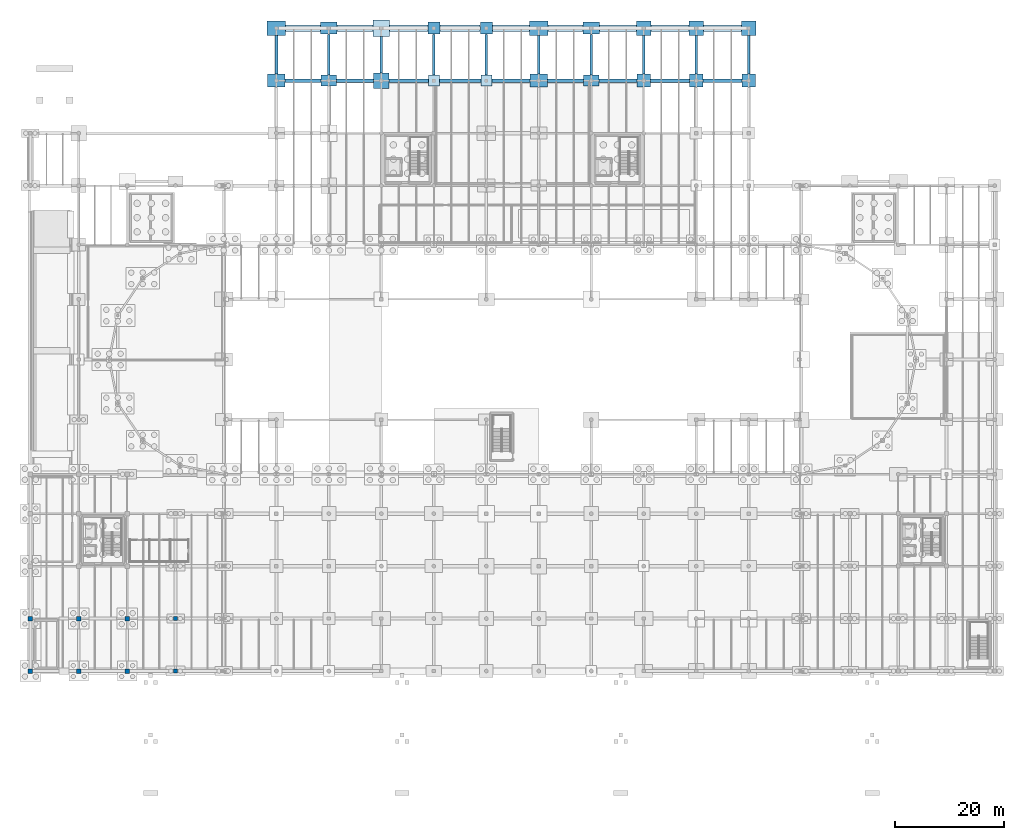
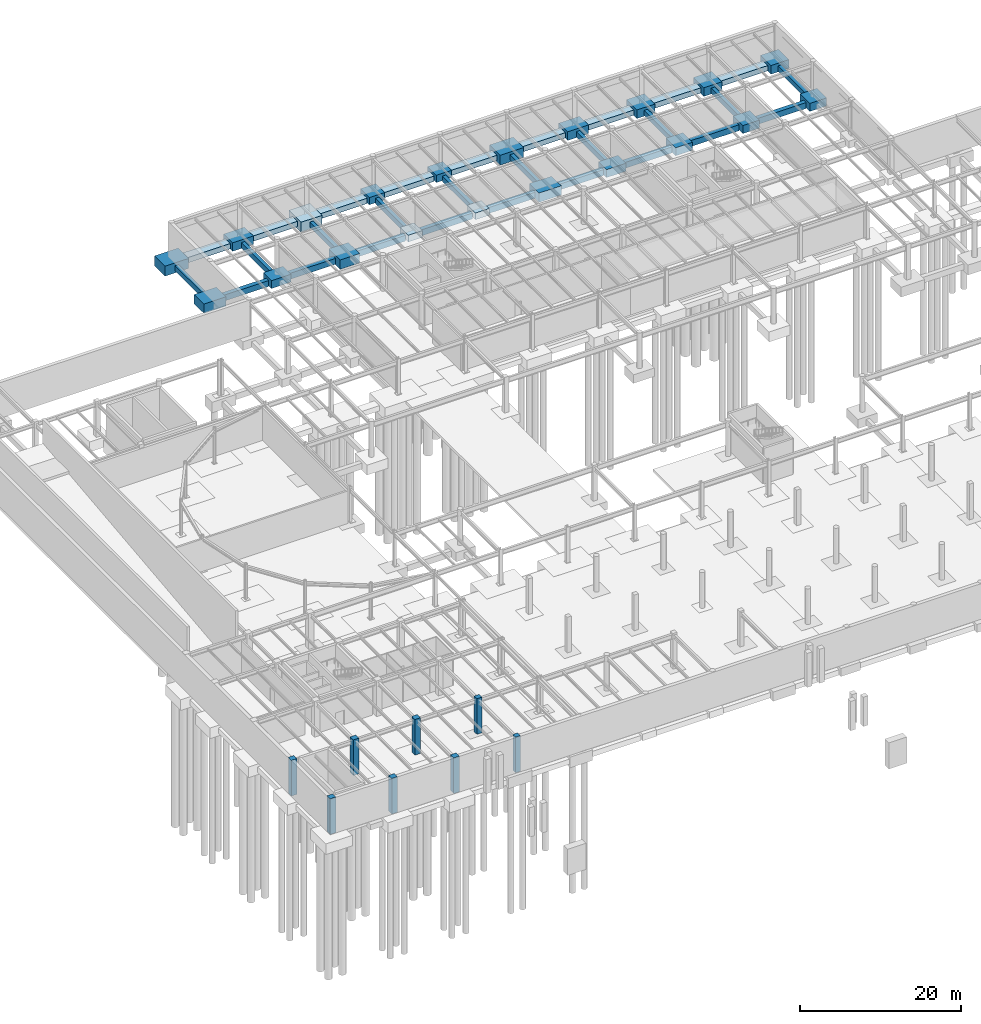
# One storey, part 10 of 50: 48 footings, 8 columns.
"""IFC4 building model written with IfcOpenShell, lengths in metres."""

from ifc_helpers import new_model, si_unit, direction, frame, origin, origin_2d, place, context, subcontext, project, spatial, polyline, rectangle, outline, extrude, material, material_profile, profile_set, type_object, element, save


model = new_model("IFC4")

# Units and contexts
model_context = context("Model", 3, precision=1e-05, world=origin(), true_north=direction((0.0, 1.0)))
body_context = subcontext(model_context, "Body", "Model", "MODEL_VIEW")
ifc_project = project(units=[si_unit("LENGTHUNIT", "METRE"), si_unit("AREAUNIT", "SQUARE_METRE"), si_unit("VOLUMEUNIT", "CUBIC_METRE"), si_unit("PLANEANGLEUNIT", "RADIAN"), si_unit("MASSUNIT", "GRAM", prefix="KILO")], contexts=[model_context])

# Site, building, storey
site_placement = place(None, origin())
site = spatial("IfcSite", under=ifc_project, at=site_placement, CompositionType="ELEMENT")
building_placement = place(site_placement, origin())
building = spatial("IfcBuilding", under=site, at=building_placement, Name="Yeouljin Market Hall", CompositionType="ELEMENT")
storey_placement = place(building_placement, frame((0.0, 0.0, -5.39990234375)))
storey = spatial("IfcBuildingStorey", under=building, at=storey_placement, Name="B1", CompositionType="ELEMENT", Elevation=-5.39990234375)

# Footings
ifc_material_1 = material(Name="Concrete C35/45", Category="concrete")
ifc_material_profile_1 = material_profile(ifc_material_1, rectangle(XDim=0.5, YDim=0.800048828125, at=origin_2d()), Name="RC-500x800")
ifc_profile_set_1 = profile_set([ifc_material_profile_1], Name="Concrete C35/45")
footing_type_1 = type_object("IfcFootingType", Name="FootingBeam_500x800", PredefinedType="FOOTING_BEAM", material=ifc_profile_set_1)
footing_1_placement = place(storey_placement, frame((45.0, 109.2099609375, -0.800048828125), z_axis=(0.0, 1.0, 0.0), x_axis=(-1.0, 0.0, 0.0)))
element("IfcFooting", 1, at=footing_1_placement, inside=storey, type_object=footing_type_1, Name="Foundation tie beam Y-172", PredefinedType="FOOTING_BEAM", context=body_context, shape_type="SweptSolid", body=[
    extrude(rectangle(XDim=0.5, YDim=0.800048828125, at=origin_2d()), origin(), (0.0, 0.0, 1.0), 7.080078125),
])
footing_2_placement = place(storey_placement, frame((54.60009765625, 109.010009765625, -0.800048828125), z_axis=(0.0, 1.0, 0.0), x_axis=(-1.0, 0.0, 0.0)))
element("IfcFooting", 2, at=footing_2_placement, inside=storey, type_object=footing_type_1, Name="Foundation tie beam Y-180", PredefinedType="FOOTING_BEAM", context=body_context, shape_type="SweptSolid", body=[
    extrude(rectangle(XDim=0.5, YDim=0.800048828125, at=origin_2d()), origin(), (0.0, 0.0, 1.0), 7.47998046875),
])
footing_3_placement = place(storey_placement, frame((64.199951171875, 109.409912109375, -0.800048828125), z_axis=(0.0, 1.0, 0.0), x_axis=(-1.0, 0.0, 0.0)))
element("IfcFooting", 3, at=footing_3_placement, inside=storey, type_object=footing_type_1, Name="Foundation tie beam Y-187", PredefinedType="FOOTING_BEAM", context=body_context, shape_type="SweptSolid", body=[
    extrude(rectangle(XDim=0.5, YDim=0.800048828125, at=origin_2d()), origin(), (0.0, 0.0, 1.0), 6.68017578125),
])
for number, where, z_axis, x_axis, name in (
    (4, (73.800048828125, 109.010009765625, -0.800048828125), (0.0, 1.0, 0.0), (-1.0, 0.0, 0.0), "Foundation tie beam Y-192"),
    (5, (83.39990234375, 109.010009765625, -0.800048828125), (0.0, 1.0, 0.0), (-1.0, 0.0, 0.0), "Foundation tie beam Y-202"),
):
    element("IfcFooting", number, at=place(storey_placement, frame(where, z_axis=z_axis, x_axis=x_axis)), inside=storey, type_object=footing_type_1, Name=name, PredefinedType="FOOTING_BEAM", context=body_context, shape_type="SweptSolid", body=[
        extrude(rectangle(XDim=0.5, YDim=0.800048828125, at=origin_2d()), origin(), (0.0, 0.0, 1.0), 7.47998046875),
    ])
footing_4_placement = place(storey_placement, frame((93.0, 109.2099609375, -0.800048828125), z_axis=(0.0, 1.0, 0.0), x_axis=(-1.0, 0.0, 0.0)))
element("IfcFooting", 6, at=footing_4_placement, inside=storey, type_object=footing_type_1, Name="Foundation tie beam Y-210", PredefinedType="FOOTING_BEAM", context=body_context, shape_type="SweptSolid", body=[
    extrude(rectangle(XDim=0.5, YDim=0.800048828125, at=origin_2d()), origin(), (0.0, 0.0, 1.0), 7.080078125),
])
footing_5_placement = place(storey_placement, frame((102.60009765625, 109.010009765625, -0.800048828125), z_axis=(0.0, 1.0, 0.0), x_axis=(-1.0, 0.0, 0.0)))
element("IfcFooting", 7, at=footing_5_placement, inside=storey, type_object=footing_type_1, Name="Foundation tie beam Y-217", PredefinedType="FOOTING_BEAM", context=body_context, shape_type="SweptSolid", body=[
    extrude(rectangle(XDim=0.5, YDim=0.800048828125, at=origin_2d()), origin(), (0.0, 0.0, 1.0), 7.47998046875),
])
for number, where, z_axis, x_axis, name in (
    (8, (112.199951171875, 109.2099609375, -0.800048828125), (0.0, 1.0, 0.0), (-1.0, 0.0, 0.0), "Foundation tie beam Y-222"),
    (9, (121.800048828125, 109.2099609375, -0.800048828125), (0.0, 1.0, 0.0), (-1.0, 0.0, 0.0), "Foundation tie beam Y-232"),
    (10, (131.39990234375, 109.2099609375, -0.800048828125), (0.0, 1.0, 0.0), (-1.0, 0.0, 0.0), "Foundation tie beam Y-242"),
):
    element("IfcFooting", number, at=place(storey_placement, frame(where, z_axis=z_axis, x_axis=x_axis)), inside=storey, type_object=footing_type_1, Name=name, PredefinedType="FOOTING_BEAM", context=body_context, shape_type="SweptSolid", body=[
        extrude(rectangle(XDim=0.5, YDim=0.800048828125, at=origin_2d()), origin(), (0.0, 0.0, 1.0), 7.080078125),
    ])
ifc_material_2 = material(Name="Concrete C35/45", Category="concrete")
ifc_material_profile_2 = material_profile(ifc_material_2, rectangle(XDim=0.60009765625, YDim=0.89990234375, at=origin_2d()), Name="RC-600x900")
ifc_profile_set_2 = profile_set([ifc_material_profile_2], Name="Concrete C35/45")
footing_type_2 = type_object("IfcFootingType", Name="FootingBeam_600x900", PredefinedType="FOOTING_BEAM", material=ifc_profile_set_2)
footing_6_placement = place(storey_placement, frame((46.610107421875, 108.0, -0.85009765625), z_axis=(1.0, 0.0, 0.0), x_axis=(0.0, 1.0, 0.0)))
element("IfcFooting", 11, at=footing_6_placement, inside=storey, type_object=footing_type_2, Name="Foundation tie beam X-118", PredefinedType="FOOTING_BEAM", context=body_context, shape_type="SweptSolid", body=[
    extrude(rectangle(XDim=0.60009765625, YDim=0.89990234375, at=origin_2d()), origin(), (0.0, 0.0, 1.0), 6.579833984375),
])
footing_7_placement = place(storey_placement, frame((56.010009765625, 108.0, -0.85009765625), z_axis=(1.0, 0.0, 0.0), x_axis=(0.0, 1.0, 0.0)))
element("IfcFooting", 12, at=footing_7_placement, inside=storey, type_object=footing_type_2, Name="Foundation tie beam X-119", PredefinedType="FOOTING_BEAM", context=body_context, shape_type="SweptSolid", body=[
    extrude(rectangle(XDim=0.60009765625, YDim=0.89990234375, at=origin_2d()), origin(), (0.0, 0.0, 1.0), 6.780029296875),
])
footing_8_placement = place(storey_placement, frame((65.610107421875, 108.0, -0.85009765625), z_axis=(1.0, 0.0, 0.0), x_axis=(0.0, 1.0, 0.0)))
element("IfcFooting", 13, at=footing_8_placement, inside=storey, type_object=footing_type_2, Name="Foundation tie beam X-120", PredefinedType="FOOTING_BEAM", context=body_context, shape_type="SweptSolid", body=[
    extrude(rectangle(XDim=0.60009765625, YDim=0.89990234375, at=origin_2d()), origin(), (0.0, 0.0, 1.0), 7.179931640625),
])
footing_9_placement = place(storey_placement, frame((74.81005859375, 108.0, -0.85009765625), z_axis=(1.0, 0.0, 0.0), x_axis=(0.0, 1.0, 0.0)))
element("IfcFooting", 14, at=footing_9_placement, inside=storey, type_object=footing_type_2, Name="Foundation tie beam X-121", PredefinedType="FOOTING_BEAM", context=body_context, shape_type="SweptSolid", body=[
    extrude(rectangle(XDim=0.60009765625, YDim=0.89990234375, at=origin_2d()), origin(), (0.0, 0.0, 1.0), 7.579833984375),
])
footing_10_placement = place(storey_placement, frame((84.409912109375, 108.0, -0.85009765625), z_axis=(1.0, 0.0, 0.0), x_axis=(0.0, 1.0, 0.0)))
element("IfcFooting", 15, at=footing_10_placement, inside=storey, type_object=footing_type_2, Name="Foundation tie beam X-122", PredefinedType="FOOTING_BEAM", context=body_context, shape_type="SweptSolid", body=[
    extrude(rectangle(XDim=0.60009765625, YDim=0.89990234375, at=origin_2d()), origin(), (0.0, 0.0, 1.0), 6.97998046875),
])
footing_11_placement = place(storey_placement, frame((94.610107421875, 108.0, -0.85009765625), z_axis=(1.0, 0.0, 0.0), x_axis=(0.0, 1.0, 0.0)))
element("IfcFooting", 16, at=footing_11_placement, inside=storey, type_object=footing_type_2, Name="Foundation tie beam X-123", PredefinedType="FOOTING_BEAM", context=body_context, shape_type="SweptSolid", body=[
    extrude(rectangle(XDim=0.60009765625, YDim=0.89990234375, at=origin_2d()), origin(), (0.0, 0.0, 1.0), 6.579833984375),
])
footing_12_placement = place(storey_placement, frame((104.010009765625, 108.0, -0.85009765625), z_axis=(1.0, 0.0, 0.0), x_axis=(0.0, 1.0, 0.0)))
element("IfcFooting", 17, at=footing_12_placement, inside=storey, type_object=footing_type_2, Name="Foundation tie beam X-124", PredefinedType="FOOTING_BEAM", context=body_context, shape_type="SweptSolid", body=[
    extrude(rectangle(XDim=0.60009765625, YDim=0.89990234375, at=origin_2d()), origin(), (0.0, 0.0, 1.0), 6.97998046875),
])
footing_13_placement = place(storey_placement, frame((113.409912109375, 108.0, -0.85009765625), z_axis=(1.0, 0.0, 0.0), x_axis=(0.0, 1.0, 0.0)))
element("IfcFooting", 18, at=footing_13_placement, inside=storey, type_object=footing_type_2, Name="Foundation tie beam X-125", PredefinedType="FOOTING_BEAM", context=body_context, shape_type="SweptSolid", body=[
    extrude(rectangle(XDim=0.60009765625, YDim=0.89990234375, at=origin_2d()), origin(), (0.0, 0.0, 1.0), 7.18017578125),
])
footing_14_placement = place(storey_placement, frame((123.010009765625, 108.0, -0.85009765625), z_axis=(1.0, 0.0, 0.0), x_axis=(0.0, 1.0, 0.0)))
element("IfcFooting", 19, at=footing_14_placement, inside=storey, type_object=footing_type_2, Name="Foundation tie beam X-126", PredefinedType="FOOTING_BEAM", context=body_context, shape_type="SweptSolid", body=[
    extrude(rectangle(XDim=0.60009765625, YDim=0.89990234375, at=origin_2d()), origin(), (0.0, 0.0, 1.0), 7.179931640625),
])
ifc_material_3 = material(Name="Concrete C35/45", Category="concrete")
footing_type_3 = type_object("IfcFootingType", Name="PadFooting_2000x2000x1000", PredefinedType="PAD_FOOTING", material=ifc_material_3)
footing_15_placement = place(storey_placement, frame((0.0, 0.0, -1.0)))
element("IfcFooting", 20, at=footing_15_placement, inside=storey, type_object=footing_type_3, Name="Pile cap FPAD-041", PredefinedType="PAD_FOOTING", context=body_context, shape_type="SweptSolid", body=[
    extrude(outline(polyline([(72.800048828125, 107.0), (74.800048828125, 107.0), (74.800048828125, 109.0), (72.800048828125, 109.0), (72.800048828125, 107.0)])), origin(), (0.0, 0.0, 1.0), 1.0),
])
footing_16_placement = place(storey_placement, frame((0.0, 0.0, -1.0)))
element("IfcFooting", 21, at=footing_16_placement, inside=storey, type_object=footing_type_3, Name="Pile cap FPAD-051", PredefinedType="PAD_FOOTING", context=body_context, shape_type="SweptSolid", body=[
    extrude(outline(polyline([(82.39990234375, 107.0), (84.39990234375, 107.0), (84.39990234375, 109.0), (82.39990234375, 109.0), (82.39990234375, 107.0)])), origin(), (0.0, 0.0, 1.0), 1.0),
])
ifc_material_4 = material(Name="Concrete C35/45", Category="concrete")
footing_type_4 = type_object("IfcFootingType", Name="PadFooting_2200x2200x1100", PredefinedType="PAD_FOOTING", material=ifc_material_4)
footing_17_placement = place(storey_placement, frame((0.0, 0.0, -1.10009765625)))
element("IfcFooting", 22, at=footing_17_placement, inside=storey, type_object=footing_type_4, Name="Pile cap FPAD-042", PredefinedType="PAD_FOOTING", context=body_context, shape_type="SweptSolid", body=[
    extrude(outline(polyline([(72.699951171875, 116.5), (74.89990234375, 116.5), (74.89990234375, 118.699951171875), (72.699951171875, 118.699951171875), (72.699951171875, 116.5)])), origin(), (0.0, 0.0, 1.0), 1.10009765625),
])
footing_18_placement = place(storey_placement, frame((0.0, 0.0, -1.10009765625)))
element("IfcFooting", 23, at=footing_18_placement, inside=storey, type_object=footing_type_4, Name="Pile cap FPAD-052", PredefinedType="PAD_FOOTING", context=body_context, shape_type="SweptSolid", body=[
    extrude(outline(polyline([(82.300048828125, 116.5), (84.5, 116.5), (84.5, 118.699951171875), (82.300048828125, 118.699951171875), (82.300048828125, 116.5)])), origin(), (0.0, 0.0, 1.0), 1.10009765625),
])
ifc_material_5 = material(Name="Concrete C35/45", Category="concrete")
footing_type_5 = type_object("IfcFootingType", Name="PadFooting_2400x2400x1200", PredefinedType="PAD_FOOTING", material=ifc_material_5)
footing_19_placement = place(storey_placement, frame((0.0, 0.0, -1.2001953125)))
element("IfcFooting", 24, at=footing_19_placement, inside=storey, type_object=footing_type_5, Name="Pile cap FPAD-073", PredefinedType="PAD_FOOTING", context=body_context, shape_type="SweptSolid", body=[
    extrude(outline(polyline([(111.0, 106.800048828125), (113.39990234375, 106.800048828125), (113.39990234375, 109.199951171875), (111.0, 109.199951171875), (111.0, 106.800048828125)])), origin(), (0.0, 0.0, 1.0), 1.2001953125),
])
footing_20_placement = place(storey_placement, frame((0.0, 0.0, -1.2001953125)))
element("IfcFooting", 25, at=footing_20_placement, inside=storey, type_object=footing_type_5, Name="Pile cap FPAD-083", PredefinedType="PAD_FOOTING", context=body_context, shape_type="SweptSolid", body=[
    extrude(outline(polyline([(120.60009765625, 106.800048828125), (123.0, 106.800048828125), (123.0, 109.199951171875), (120.60009765625, 109.199951171875), (120.60009765625, 106.800048828125)])), origin(), (0.0, 0.0, 1.0), 1.2001953125),
])
footing_21_placement = place(storey_placement, frame((0.0, 0.0, -1.2001953125)))
element("IfcFooting", 26, at=footing_21_placement, inside=storey, type_object=footing_type_5, Name="Pile cap FPAD-093", PredefinedType="PAD_FOOTING", context=body_context, shape_type="SweptSolid", body=[
    extrude(outline(polyline([(130.199951171875, 106.800048828125), (132.60009765625, 106.800048828125), (132.60009765625, 109.199951171875), (130.199951171875, 109.199951171875), (130.199951171875, 106.800048828125)])), origin(), (0.0, 0.0, 1.0), 1.2001953125),
])
ifc_material_6 = material(Name="Concrete C35/45", Category="concrete")
footing_type_6 = type_object("IfcFootingType", Name="PadFooting_2600x2600x1300", PredefinedType="PAD_FOOTING", material=ifc_material_6)
footing_22_placement = place(storey_placement, frame((0.0, 0.0, -1.300048828125)))
element("IfcFooting", 27, at=footing_22_placement, inside=storey, type_object=footing_type_6, Name="Pile cap FPAD-074", PredefinedType="PAD_FOOTING", context=body_context, shape_type="SweptSolid", body=[
    extrude(outline(polyline([(110.89990234375, 116.300048828125), (113.5, 116.300048828125), (113.5, 118.89990234375), (110.89990234375, 118.89990234375), (110.89990234375, 116.300048828125)])), origin(), (0.0, 0.0, 1.0), 1.300048828125),
])
footing_23_placement = place(storey_placement, frame((0.0, 0.0, -1.300048828125)))
element("IfcFooting", 28, at=footing_23_placement, inside=storey, type_object=footing_type_6, Name="Pile cap FPAD-084", PredefinedType="PAD_FOOTING", context=body_context, shape_type="SweptSolid", body=[
    extrude(outline(polyline([(120.5, 116.300048828125), (123.10009765625, 116.300048828125), (123.10009765625, 118.89990234375), (120.5, 118.89990234375), (120.5, 116.300048828125)])), origin(), (0.0, 0.0, 1.0), 1.300048828125),
])
footing_24_placement = place(storey_placement, frame((0.0, 0.0, -1.300048828125)))
element("IfcFooting", 29, at=footing_24_placement, inside=storey, type_object=footing_type_6, Name="Pile cap FPAD-094", PredefinedType="PAD_FOOTING", context=body_context, shape_type="SweptSolid", body=[
    extrude(outline(polyline([(130.10009765625, 116.300048828125), (132.699951171875, 116.300048828125), (132.699951171875, 118.89990234375), (130.10009765625, 118.89990234375), (130.10009765625, 116.300048828125)])), origin(), (0.0, 0.0, 1.0), 1.300048828125),
])
ifc_material_7 = material(Name="Concrete C35/45", Category="concrete")
footing_type_7 = type_object("IfcFootingType", Name="PadFooting_2800x2000x1200", PredefinedType="PAD_FOOTING", material=ifc_material_7)
footing_25_placement = place(storey_placement, frame((0.0, 0.0, -1.2001953125)))
element("IfcFooting", 30, at=footing_25_placement, inside=storey, type_object=footing_type_7, Name="Pile cap FPAD-027", PredefinedType="PAD_FOOTING", context=body_context, shape_type="SweptSolid", body=[
    extrude(outline(polyline([(53.199951171875, 107.0), (56.0, 107.0), (56.0, 109.0), (53.199951171875, 109.0), (53.199951171875, 107.0)])), origin(), (0.0, 0.0, 1.0), 1.2001953125),
])
footing_26_placement = place(storey_placement, frame((0.0, 0.0, -1.2001953125)))
element("IfcFooting", 31, at=footing_26_placement, inside=storey, type_object=footing_type_7, Name="Pile cap FPAD-067", PredefinedType="PAD_FOOTING", context=body_context, shape_type="SweptSolid", body=[
    extrude(outline(polyline([(101.199951171875, 107.0), (104.0, 107.0), (104.0, 109.0), (101.199951171875, 109.0), (101.199951171875, 107.0)])), origin(), (0.0, 0.0, 1.0), 1.2001953125),
])
ifc_material_8 = material(Name="Concrete C35/45", Category="concrete")
footing_type_8 = type_object("IfcFootingType", Name="PadFooting_2800x2800x1400", PredefinedType="PAD_FOOTING", material=ifc_material_8)
footing_27_placement = place(storey_placement, frame((0.0, 0.0, -1.400146484375)))
element("IfcFooting", 32, at=footing_27_placement, inside=storey, type_object=footing_type_8, Name="Pile cap FPAD-035", PredefinedType="PAD_FOOTING", context=body_context, shape_type="SweptSolid", body=[
    extrude(outline(polyline([(62.800048828125, 106.60009765625), (65.60009765625, 106.60009765625), (65.60009765625, 109.39990234375), (62.800048828125, 109.39990234375), (62.800048828125, 106.60009765625)])), origin(), (0.0, 0.0, 1.0), 1.400146484375),
])
ifc_material_9 = material(Name="Concrete C35/45", Category="concrete")
footing_type_9 = type_object("IfcFootingType", Name="PadFooting_3000x2200x1300", PredefinedType="PAD_FOOTING", material=ifc_material_9)
footing_28_placement = place(storey_placement, frame((0.0, 0.0, -1.300048828125)))
element("IfcFooting", 33, at=footing_28_placement, inside=storey, type_object=footing_type_9, Name="Pile cap FPAD-028", PredefinedType="PAD_FOOTING", context=body_context, shape_type="SweptSolid", body=[
    extrude(outline(polyline([(53.10009765625, 116.5), (56.10009765625, 116.5), (56.10009765625, 118.699951171875), (53.10009765625, 118.699951171875), (53.10009765625, 116.5)])), origin(), (0.0, 0.0, 1.0), 1.300048828125),
])
footing_29_placement = place(storey_placement, frame((0.0, 0.0, -1.300048828125)))
element("IfcFooting", 34, at=footing_29_placement, inside=storey, type_object=footing_type_9, Name="Pile cap FPAD-068", PredefinedType="PAD_FOOTING", context=body_context, shape_type="SweptSolid", body=[
    extrude(outline(polyline([(101.10009765625, 116.5), (104.10009765625, 116.5), (104.10009765625, 118.699951171875), (101.10009765625, 118.699951171875), (101.10009765625, 116.5)])), origin(), (0.0, 0.0, 1.0), 1.300048828125),
])
ifc_material_10 = material(Name="Concrete C35/45", Category="concrete")
footing_type_10 = type_object("IfcFootingType", Name="PadFooting_3000x3000x1500", PredefinedType="PAD_FOOTING", material=ifc_material_10)
footing_30_placement = place(storey_placement, frame((0.0, 0.0, -1.5)))
element("IfcFooting", 35, at=footing_30_placement, inside=storey, type_object=footing_type_10, Name="Pile cap FPAD-036", PredefinedType="PAD_FOOTING", context=body_context, shape_type="SweptSolid", body=[
    extrude(outline(polyline([(62.699951171875, 116.10009765625), (65.699951171875, 116.10009765625), (65.699951171875, 119.10009765625), (62.699951171875, 119.10009765625), (62.699951171875, 116.10009765625)])), origin(), (0.0, 0.0, 1.0), 1.5),
])
ifc_material_11 = material(Name="Concrete C35/45", Category="concrete")
footing_type_11 = type_object("IfcFootingType", Name="PadFooting_3200x2400x1400", PredefinedType="PAD_FOOTING", material=ifc_material_11)
footing_31_placement = place(storey_placement, frame((0.0, 0.0, -1.400146484375)))
element("IfcFooting", 36, at=footing_31_placement, inside=storey, type_object=footing_type_11, Name="Pile cap FPAD-019", PredefinedType="PAD_FOOTING", context=body_context, shape_type="SweptSolid", body=[
    extrude(outline(polyline([(43.39990234375, 106.800048828125), (46.60009765625, 106.800048828125), (46.60009765625, 109.199951171875), (43.39990234375, 109.199951171875), (43.39990234375, 106.800048828125)])), origin(), (0.0, 0.0, 1.0), 1.400146484375),
])
footing_32_placement = place(storey_placement, frame((0.0, 0.0, -1.400146484375)))
element("IfcFooting", 37, at=footing_32_placement, inside=storey, type_object=footing_type_11, Name="Pile cap FPAD-059", PredefinedType="PAD_FOOTING", context=body_context, shape_type="SweptSolid", body=[
    extrude(outline(polyline([(91.39990234375, 106.800048828125), (94.60009765625, 106.800048828125), (94.60009765625, 109.199951171875), (91.39990234375, 109.199951171875), (91.39990234375, 106.800048828125)])), origin(), (0.0, 0.0, 1.0), 1.400146484375),
])
ifc_material_12 = material(Name="Concrete C35/45", Category="concrete")
footing_type_12 = type_object("IfcFootingType", Name="PadFooting_3400x2600x1500", PredefinedType="PAD_FOOTING", material=ifc_material_12)
footing_33_placement = place(storey_placement, frame((0.0, 0.0, -1.5)))
element("IfcFooting", 38, at=footing_33_placement, inside=storey, type_object=footing_type_12, Name="Pile cap FPAD-020", PredefinedType="PAD_FOOTING", context=body_context, shape_type="SweptSolid", body=[
    extrude(outline(polyline([(43.300048828125, 116.300048828125), (46.699951171875, 116.300048828125), (46.699951171875, 118.89990234375), (43.300048828125, 118.89990234375), (43.300048828125, 116.300048828125)])), origin(), (0.0, 0.0, 1.0), 1.5),
])
footing_34_placement = place(storey_placement, frame((0.0, 0.0, -1.5)))
element("IfcFooting", 39, at=footing_34_placement, inside=storey, type_object=footing_type_12, Name="Pile cap FPAD-060", PredefinedType="PAD_FOOTING", context=body_context, shape_type="SweptSolid", body=[
    extrude(outline(polyline([(91.300048828125, 116.300048828125), (94.699951171875, 116.300048828125), (94.699951171875, 118.89990234375), (91.300048828125, 118.89990234375), (91.300048828125, 116.300048828125)])), origin(), (0.0, 0.0, 1.0), 1.5),
])
ifc_material_13 = material(Name="Concrete C35/45", Category="concrete")
ifc_material_profile_3 = material_profile(ifc_material_13, rectangle(XDim=1.199951171875, YDim=0.800048828125, at=origin_2d()), Name="SF-1200x800")
ifc_profile_set_3 = profile_set([ifc_material_profile_3], Name="Concrete C35/45")
footing_type_13 = type_object("IfcFootingType", Name="StripFooting_1200x800", PredefinedType="STRIP_FOOTING", material=ifc_profile_set_3)
footing_35_placement = place(storey_placement, frame((46.7099609375, 117.60009765625, -0.800048828125), z_axis=(1.0, 0.0, 0.0), x_axis=(0.0, 1.0, 0.0)))
element("IfcFooting", 40, at=footing_35_placement, inside=storey, type_object=footing_type_13, Name="Foundation tie beam X-127", PredefinedType="STRIP_FOOTING", context=body_context, shape_type="SweptSolid", body=[
    extrude(rectangle(XDim=1.199951171875, YDim=0.800048828125, at=origin_2d()), origin(), (0.0, 0.0, 1.0), 6.380126953125),
])
footing_36_placement = place(storey_placement, frame((56.110107421875, 117.60009765625, -0.800048828125), z_axis=(1.0, 0.0, 0.0), x_axis=(0.0, 1.0, 0.0)))
element("IfcFooting", 41, at=footing_36_placement, inside=storey, type_object=footing_type_13, Name="Foundation tie beam X-128", PredefinedType="STRIP_FOOTING", context=body_context, shape_type="SweptSolid", body=[
    extrude(rectangle(XDim=1.199951171875, YDim=0.800048828125, at=origin_2d()), origin(), (0.0, 0.0, 1.0), 6.579833984375),
])
footing_37_placement = place(storey_placement, frame((65.7099609375, 117.60009765625, -0.800048828125), z_axis=(1.0, 0.0, 0.0), x_axis=(0.0, 1.0, 0.0)))
element("IfcFooting", 42, at=footing_37_placement, inside=storey, type_object=footing_type_13, Name="Foundation tie beam X-129", PredefinedType="STRIP_FOOTING", context=body_context, shape_type="SweptSolid", body=[
    extrude(rectangle(XDim=1.199951171875, YDim=0.800048828125, at=origin_2d()), origin(), (0.0, 0.0, 1.0), 6.97998046875),
])
footing_38_placement = place(storey_placement, frame((74.909912109375, 117.60009765625, -0.800048828125), z_axis=(1.0, 0.0, 0.0), x_axis=(0.0, 1.0, 0.0)))
element("IfcFooting", 43, at=footing_38_placement, inside=storey, type_object=footing_type_13, Name="Foundation tie beam X-130", PredefinedType="STRIP_FOOTING", context=body_context, shape_type="SweptSolid", body=[
    extrude(rectangle(XDim=1.199951171875, YDim=0.800048828125, at=origin_2d()), origin(), (0.0, 0.0, 1.0), 7.380126953125),
])
footing_39_placement = place(storey_placement, frame((84.510009765625, 117.60009765625, -0.800048828125), z_axis=(1.0, 0.0, 0.0), x_axis=(0.0, 1.0, 0.0)))
element("IfcFooting", 44, at=footing_39_placement, inside=storey, type_object=footing_type_13, Name="Foundation tie beam X-131", PredefinedType="STRIP_FOOTING", context=body_context, shape_type="SweptSolid", body=[
    extrude(rectangle(XDim=1.199951171875, YDim=0.800048828125, at=origin_2d()), origin(), (0.0, 0.0, 1.0), 6.780029296875),
])
footing_40_placement = place(storey_placement, frame((94.7099609375, 117.60009765625, -0.800048828125), z_axis=(1.0, 0.0, 0.0), x_axis=(0.0, 1.0, 0.0)))
element("IfcFooting", 45, at=footing_40_placement, inside=storey, type_object=footing_type_13, Name="Foundation tie beam X-132", PredefinedType="STRIP_FOOTING", context=body_context, shape_type="SweptSolid", body=[
    extrude(rectangle(XDim=1.199951171875, YDim=0.800048828125, at=origin_2d()), origin(), (0.0, 0.0, 1.0), 6.380126953125),
])
footing_41_placement = place(storey_placement, frame((104.110107421875, 117.60009765625, -0.800048828125), z_axis=(1.0, 0.0, 0.0), x_axis=(0.0, 1.0, 0.0)))
element("IfcFooting", 46, at=footing_41_placement, inside=storey, type_object=footing_type_13, Name="Foundation tie beam X-133", PredefinedType="STRIP_FOOTING", context=body_context, shape_type="SweptSolid", body=[
    extrude(rectangle(XDim=1.199951171875, YDim=0.800048828125, at=origin_2d()), origin(), (0.0, 0.0, 1.0), 6.77978515625),
])
for number, where, z_axis, x_axis, name in (
    (47, (113.510009765625, 117.60009765625, -0.800048828125), (1.0, 0.0, 0.0), (0.0, 1.0, 0.0), "Foundation tie beam X-134"),
    (48, (123.110107421875, 117.60009765625, -0.800048828125), (1.0, 0.0, 0.0), (0.0, 1.0, 0.0), "Foundation tie beam X-135"),
):
    element("IfcFooting", number, at=place(storey_placement, frame(where, z_axis=z_axis, x_axis=x_axis)), inside=storey, type_object=footing_type_13, Name=name, PredefinedType="STRIP_FOOTING", context=body_context, shape_type="SweptSolid", body=[
        extrude(rectangle(XDim=1.199951171875, YDim=0.800048828125, at=origin_2d()), origin(), (0.0, 0.0, 1.0), 6.97998046875),
    ])

# Columns
ifc_material_14 = material(Name="Concrete C35/45", Category="concrete")
ifc_material_profile_4 = material_profile(ifc_material_14, rectangle(XDim=0.699951171875, YDim=0.699951171875, at=origin_2d()), Name="RC-700x700")
ifc_profile_set_4 = profile_set([ifc_material_profile_4], Name="Concrete C35/45")
column_type_1 = type_object("IfcColumnType", Name="Col_RC-700x700", PredefinedType="COLUMN", material=ifc_profile_set_4)
for number, where, z_axis, x_axis, name in (
    (49, (26.550048828125, 0.0, 0.0), (0.0, 0.0, 1.0), (1.0, 0.0, 0.0), "Column G-03-00 (B1)"),
    (50, (26.550048828125, 9.60009765625, 0.0), (0.0, 0.0, 1.0), (1.0, 0.0, 0.0), "Column G-03-01 (B1)"),
):
    element("IfcColumn", number, at=place(storey_placement, frame(where, z_axis=z_axis, x_axis=x_axis)), inside=storey, type_object=column_type_1, Name=name, PredefinedType="COLUMN", context=body_context, shape_type="SweptSolid", body=[
        extrude(rectangle(XDim=0.699951171875, YDim=0.699951171875, at=origin_2d()), origin(), (0.0, 0.0, 1.0), 5.39990234375),
    ])
ifc_material_15 = material(Name="Concrete C35/45", Category="concrete")
ifc_material_profile_5 = material_profile(ifc_material_15, rectangle(XDim=0.800048828125, YDim=0.800048828125, at=origin_2d()), Name="RC-800x800")
ifc_profile_set_5 = profile_set([ifc_material_profile_5], Name="Concrete C35/45")
column_type_2 = type_object("IfcColumnType", Name="Col_RC-800x800", PredefinedType="COLUMN", material=ifc_profile_set_5)
for number, where, z_axis, x_axis, name in (
    (51, (0.0, 0.0, 0.0), (0.0, 0.0, 1.0), (1.0, 0.0, 0.0), "Column G-00-00 (B1)"),
    (52, (0.0, 9.60009765625, 0.0), (0.0, 0.0, 1.0), (1.0, 0.0, 0.0), "Column G-00-01 (B1)"),
    (53, (8.85009765625, 0.0, 0.0), (0.0, 0.0, 1.0), (1.0, 0.0, 0.0), "Column G-01-00 (B1)"),
    (54, (8.85009765625, 9.60009765625, 0.0), (0.0, 0.0, 1.0), (1.0, 0.0, 0.0), "Column G-01-01 (B1)"),
    (55, (17.699951171875, 0.0, 0.0), (0.0, 0.0, 1.0), (1.0, 0.0, 0.0), "Column G-02-00 (B1)"),
    (56, (17.699951171875, 9.60009765625, 0.0), (0.0, 0.0, 1.0), (1.0, 0.0, 0.0), "Column G-02-01 (B1)"),
):
    element("IfcColumn", number, at=place(storey_placement, frame(where, z_axis=z_axis, x_axis=x_axis)), inside=storey, type_object=column_type_2, Name=name, PredefinedType="COLUMN", context=body_context, shape_type="SweptSolid", body=[
        extrude(rectangle(XDim=0.800048828125, YDim=0.800048828125, at=origin_2d()), origin(), (0.0, 0.0, 1.0), 5.39990234375),
    ])

save(model, "model.ifc")
